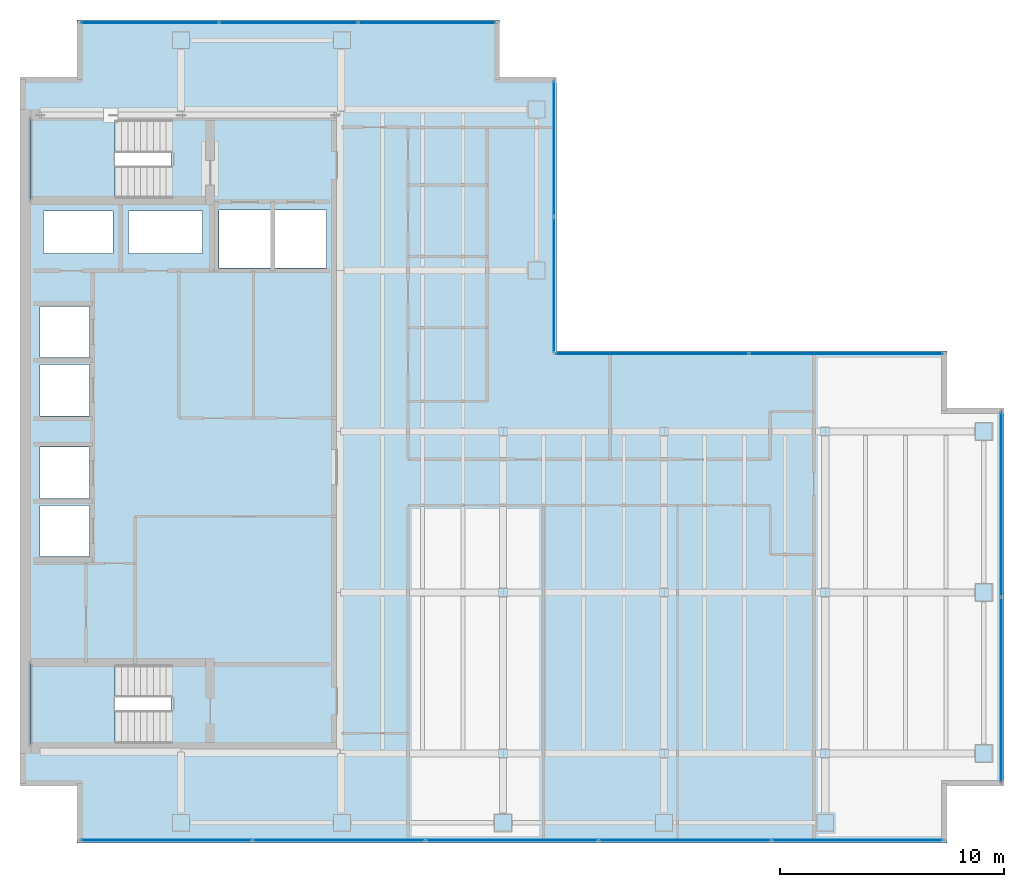
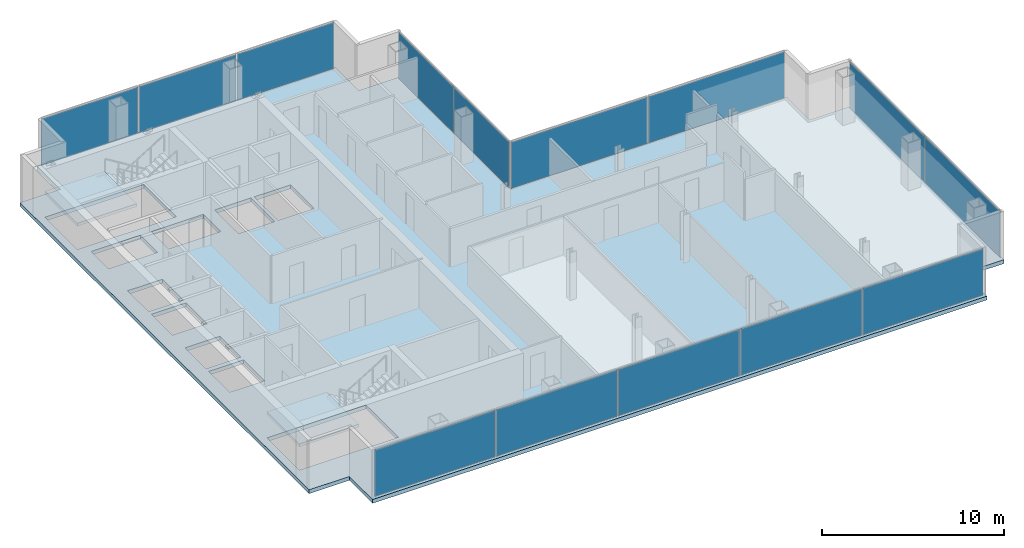
# One storey, part 19 of 23: 14 plates, 3 slabs, 10 openings, 7 elements without a shape of their own.
"""IFC4 building model written with IfcOpenShell, lengths in metres."""

from ifc_helpers import new_model, si_unit, direction, frame, origin, origin_2d, place, context, subcontext, project, spatial, polyline, rectangle, outline, extrude, material, layer, layer_set, type_object, element, aggregate, save


model = new_model("IFC4")

# Units and contexts
model_context = context("Model", 3, precision=1e-05, world=origin(), true_north=direction((0.0, 1.0)))
body_context = subcontext(model_context, "Body", "Model", "MODEL_VIEW")
ifc_project = project(units=[si_unit("LENGTHUNIT", "METRE"), si_unit("AREAUNIT", "SQUARE_METRE"), si_unit("VOLUMEUNIT", "CUBIC_METRE"), si_unit("PLANEANGLEUNIT", "RADIAN"), si_unit("MASSUNIT", "GRAM", prefix="KILO")], contexts=[model_context])

# Site, building, storey
site_placement = place(None, origin())
site = spatial("IfcSite", under=ifc_project, at=site_placement, CompositionType="ELEMENT")
building_placement = place(site_placement, origin())
building = spatial("IfcBuilding", under=site, at=building_placement, Name="Cobrela Telecom Tower", CompositionType="ELEMENT")
storey_placement = place(building_placement, frame((0.0, 0.0, 187.25)))
storey = spatial("IfcBuildingStorey", under=building, at=storey_placement, Name="L47", CompositionType="ELEMENT", Elevation=187.25)

# Curtain wall, plates
ifc_material_1 = material(Name="Anodized Bronze Aluminium 6063-T6", Category="aluminium")
curtain_wall_type = type_object("IfcCurtainWallType", Name="CW-SYS-OFF-LO", PredefinedType="USERDEFINED", material=ifc_material_1)
curtain_wall_1_placement = place(storey_placement, origin())
curtain_wall_1 = element("IfcCurtainWall", 1, at=curtain_wall_1_placement, inside=storey, type_object=curtain_wall_type, Name="L47 Unitised Bronze Curtain Wall 07", ObjectType="UNITISED CURTAIN WALL", PredefinedType="USERDEFINED")
ifc_material_2 = material(Name="Solar-Control Bronze Low-E Glass", Category="glass")
ifc_layer_1 = layer(ifc_material_2, 0.031982421875)
ifc_layer_set_1 = layer_set([ifc_layer_1], Name="Solar-Control Bronze Low-E Glass")
plate_type = type_object("IfcPlateType", Name="CW-SYS-OFF-LO-PNL", PredefinedType="CURTAIN_PANEL", material=ifc_layer_set_1)
plate_1_placement = place(storey_placement, frame((5.797607421875, 39.8798828125, 0.070068359375), z_axis=(0.0, 0.0, 1.0), x_axis=(1.0, 0.0, 0.0)))
plate_1 = element("IfcPlate", 2, at=plate_1_placement, type_object=plate_type, Name="CW-OFF-LO panel 1.1", PredefinedType="CURTAIN_PANEL", context=body_context, shape_type="SweptSolid", body=[
    extrude(rectangle(XDim=6.114990234375, YDim=0.031982421875, at=origin_2d()), origin(), (0.0, 0.0, 1.0), 3.10009765625),
])
plate_2_placement = place(storey_placement, frame((12.0, 39.8798828125, 0.070068359375), z_axis=(0.0, 0.0, 1.0), x_axis=(1.0, 0.0, 0.0)))
plate_2 = element("IfcPlate", 3, at=plate_2_placement, type_object=plate_type, Name="CW-OFF-LO panel 2.1", PredefinedType="CURTAIN_PANEL", context=body_context, shape_type="SweptSolid", body=[
    extrude(rectangle(XDim=6.14990234375, YDim=0.031982421875, at=origin_2d()), origin(), (0.0, 0.0, 1.0), 3.10009765625),
])
plate_3_placement = place(storey_placement, frame((18.202392578125, 39.8798828125, 0.070068359375), z_axis=(0.0, 0.0, 1.0), x_axis=(1.0, 0.0, 0.0)))
plate_3 = element("IfcPlate", 4, at=plate_3_placement, type_object=plate_type, Name="CW-OFF-LO panel 3.1", PredefinedType="CURTAIN_PANEL", context=body_context, shape_type="SweptSolid", body=[
    extrude(rectangle(XDim=6.114990234375, YDim=0.031982421875, at=origin_2d()), origin(), (0.0, 0.0, 1.0), 3.10009765625),
])
aggregate(curtain_wall_1, [plate_1, plate_2, plate_3])

curtain_wall_2_placement = place(storey_placement, origin())
curtain_wall_2 = element("IfcCurtainWall", 5, at=curtain_wall_2_placement, inside=storey, type_object=curtain_wall_type, Name="L47 Unitised Bronze Curtain Wall 10", ObjectType="UNITISED CURTAIN WALL", PredefinedType="USERDEFINED")
plate_4_placement = place(storey_placement, frame((23.8798828125, 34.25, 0.070068359375), z_axis=(0.0, 0.0, 1.0), x_axis=(0.0, -1.0, 0.0)))
plate_4 = element("IfcPlate", 6, at=plate_4_placement, type_object=plate_type, Name="CW-OFF-LO panel 1.1", PredefinedType="CURTAIN_PANEL", context=body_context, shape_type="SweptSolid", body=[
    extrude(rectangle(XDim=6.02001953125, YDim=0.031982421875, at=origin_2d()), origin(), (0.0, 0.0, 1.0), 3.10009765625),
])
plate_5_placement = place(storey_placement, frame((23.8798828125, 28.159912109375, 0.070068359375), z_axis=(0.0, 0.0, 1.0), x_axis=(0.0, -1.0, 0.0)))
plate_5 = element("IfcPlate", 7, at=plate_5_placement, type_object=plate_type, Name="CW-OFF-LO panel 2.1", PredefinedType="CURTAIN_PANEL", context=body_context, shape_type="SweptSolid", body=[
    extrude(rectangle(XDim=6.02001953125, YDim=0.031982421875, at=origin_2d()), origin(), (0.0, 0.0, 1.0), 3.10009765625),
])
aggregate(curtain_wall_2, [plate_4, plate_5])

curtain_wall_3_placement = place(storey_placement, origin())
curtain_wall_3 = element("IfcCurtainWall", 8, at=curtain_wall_3_placement, inside=storey, type_object=curtain_wall_type, Name="L47 Unitised Bronze Curtain Wall 11", ObjectType="UNITISED CURTAIN WALL", PredefinedType="USERDEFINED")
plate_6_placement = place(storey_placement, frame((28.260009765625, 25.080078125, 0.070068359375), z_axis=(0.0, 0.0, 1.0), x_axis=(1.0, 0.0, 0.0)))
plate_6 = element("IfcPlate", 9, at=plate_6_placement, type_object=plate_type, Name="CW-OFF-LO panel 1.1", PredefinedType="CURTAIN_PANEL", context=body_context, shape_type="SweptSolid", body=[
    extrude(rectangle(XDim=8.6201171875, YDim=0.031982421875, at=origin_2d()), origin(), (0.0, 0.0, 1.0), 3.10009765625),
])
plate_7_placement = place(storey_placement, frame((36.949951171875, 25.080078125, 0.070068359375), z_axis=(0.0, 0.0, 1.0), x_axis=(1.0, 0.0, 0.0)))
plate_7 = element("IfcPlate", 10, at=plate_7_placement, type_object=plate_type, Name="CW-OFF-LO panel 2.1", PredefinedType="CURTAIN_PANEL", context=body_context, shape_type="SweptSolid", body=[
    extrude(rectangle(XDim=8.6201171875, YDim=0.031982421875, at=origin_2d()), origin(), (0.0, 0.0, 1.0), 3.10009765625),
])
aggregate(curtain_wall_3, [plate_6, plate_7])

curtain_wall_4_placement = place(storey_placement, origin())
curtain_wall_4 = element("IfcCurtainWall", 11, at=curtain_wall_4_placement, inside=storey, type_object=curtain_wall_type, Name="L47 Unitised Bronze Curtain Wall 14", ObjectType="UNITISED CURTAIN WALL", PredefinedType="USERDEFINED")
plate_8_placement = place(storey_placement, frame((43.8798828125, 18.347412109375, 0.070068359375), z_axis=(0.0, 0.0, 1.0), x_axis=(0.0, -1.0, 0.0)))
plate_8 = element("IfcPlate", 12, at=plate_8_placement, type_object=plate_type, Name="CW-OFF-LO panel 1.1", PredefinedType="CURTAIN_PANEL", context=body_context, shape_type="SweptSolid", body=[
    extrude(rectangle(XDim=8.22509765625, YDim=0.031982421875, at=origin_2d()), origin(), (0.0, 0.0, 1.0), 3.10009765625),
])
plate_9_placement = place(storey_placement, frame((43.8798828125, 10.052490234375, 0.070068359375), z_axis=(0.0, 0.0, 1.0), x_axis=(0.0, -1.0, 0.0)))
plate_9 = element("IfcPlate", 13, at=plate_9_placement, type_object=plate_type, Name="CW-OFF-LO panel 2.1", PredefinedType="CURTAIN_PANEL", context=body_context, shape_type="SweptSolid", body=[
    extrude(rectangle(XDim=8.22509765625, YDim=0.031982421875, at=origin_2d()), origin(), (0.0, 0.0, 1.0), 3.10009765625),
])
aggregate(curtain_wall_4, [plate_8, plate_9])

curtain_wall_5_placement = place(storey_placement, origin())
curtain_wall_5 = element("IfcCurtainWall", 14, at=curtain_wall_5_placement, inside=storey, type_object=curtain_wall_type, Name="L47 Unitised Bronze Curtain Wall 17", ObjectType="UNITISED CURTAIN WALL", PredefinedType="USERDEFINED")
plate_10_placement = place(storey_placement, frame((37.446533203125, 3.320068359375, 0.070068359375), z_axis=(0.0, 0.0, 1.0), x_axis=(-1.0, 0.0, 0.0)))
plate_10 = element("IfcPlate", 15, at=plate_10_placement, type_object=plate_type, Name="CW-OFF-LO panel 1.1", PredefinedType="CURTAIN_PANEL", context=body_context, shape_type="SweptSolid", body=[
    extrude(rectangle(XDim=7.626953125, YDim=0.031982421875, at=origin_2d()), origin(), (0.0, 0.0, 1.0), 3.10009765625),
])
plate_11_placement = place(storey_placement, frame((29.73193359375, 3.320068359375, 0.070068359375), z_axis=(0.0, 0.0, 1.0), x_axis=(-1.0, 0.0, 0.0)))
plate_11 = element("IfcPlate", 16, at=plate_11_placement, type_object=plate_type, Name="CW-OFF-LO panel 2.1", PredefinedType="CURTAIN_PANEL", context=body_context, shape_type="SweptSolid", body=[
    extrude(rectangle(XDim=7.662109375, YDim=0.031982421875, at=origin_2d()), origin(), (0.0, 0.0, 1.0), 3.10009765625),
])
plate_12_placement = place(storey_placement, frame((22.0, 3.320068359375, 0.070068359375), z_axis=(0.0, 0.0, 1.0), x_axis=(-1.0, 0.0, 0.0)))
plate_12 = element("IfcPlate", 17, at=plate_12_placement, type_object=plate_type, Name="CW-OFF-LO panel 3.1", PredefinedType="CURTAIN_PANEL", context=body_context, shape_type="SweptSolid", body=[
    extrude(rectangle(XDim=7.662109375, YDim=0.031982421875, at=origin_2d()), origin(), (0.0, 0.0, 1.0), 3.10009765625),
])
plate_13_placement = place(storey_placement, frame((14.26806640625, 3.320068359375, 0.070068359375), z_axis=(0.0, 0.0, 1.0), x_axis=(-1.0, 0.0, 0.0)))
plate_13 = element("IfcPlate", 18, at=plate_13_placement, type_object=plate_type, Name="CW-OFF-LO panel 4.1", PredefinedType="CURTAIN_PANEL", context=body_context, shape_type="SweptSolid", body=[
    extrude(rectangle(XDim=7.662109375, YDim=0.031982421875, at=origin_2d()), origin(), (0.0, 0.0, 1.0), 3.10009765625),
])
plate_14_placement = place(storey_placement, frame((6.553466796875, 3.320068359375, 0.070068359375), z_axis=(0.0, 0.0, 1.0), x_axis=(-1.0, 0.0, 0.0)))
plate_14 = element("IfcPlate", 19, at=plate_14_placement, type_object=plate_type, Name="CW-OFF-LO panel 5.1", PredefinedType="CURTAIN_PANEL", context=body_context, shape_type="SweptSolid", body=[
    extrude(rectangle(XDim=7.626953125, YDim=0.031982421875, at=origin_2d()), origin(), (0.0, 0.0, 1.0), 3.10009765625),
])
aggregate(curtain_wall_5, [plate_10, plate_11, plate_12, plate_13, plate_14])

# Slab, openings
ifc_material_3 = material(Name="Concrete C40/50", Category="concrete")
ifc_layer_2 = layer(ifc_material_3, 0.260009765625)
ifc_layer_set_2 = layer_set([ifc_layer_2], Name="Concrete C40/50")
slab_type_1 = type_object("IfcSlabType", Name="SLAB-FLR-260", PredefinedType="FLOOR", material=ifc_layer_set_2)
slab_1_placement = place(storey_placement, frame((0.0, 0.0, -0.260009765625)))
slab_1 = element("IfcSlab", 20, at=slab_1_placement, inside=storey, type_object=slab_type_1, Name="L47 Structural Floor Slab", PredefinedType="FLOOR", context=body_context, shape_type="SweptSolid", body=[
    extrude(outline(polyline([(2.550048828125, 3.199951171875), (41.449951171875, 3.199951171875), (41.449951171875, 5.75), (44.0, 5.75), (44.0, 22.64990234375), (41.449951171875, 22.64990234375), (41.449951171875, 25.199951171875), (24.0, 25.199951171875), (24.0, 37.449951171875), (21.449951171875, 37.449951171875), (21.449951171875, 40.0), (2.550048828125, 40.0), (2.550048828125, 37.449951171875), (0.0, 37.449951171875), (0.0, 5.75), (2.550048828125, 5.75), (2.550048828125, 3.199951171875)])), origin(), (0.0, 0.0, 1.0), 0.260009765625),
])
opening_1_placement = place(slab_1_placement, frame((0.0, 0.0, -0.02001953125)))
element("IfcOpeningElement", 21, at=opening_1_placement, cuts=slab_1, Name="Slab Shaft Opening SLAB-L47-MAIN.1", PredefinedType="OPENING", context=body_context, shape_type="SweptSolid", body=[
    extrude(outline(polyline([(8.89990234375, 28.89990234375), (11.199951171875, 28.89990234375), (11.199951171875, 31.5), (8.89990234375, 31.5), (8.89990234375, 28.89990234375)])), origin(), (0.0, 0.0, 1.0), 0.300048828125),
])
opening_2_placement = place(slab_1_placement, frame((0.0, 0.0, -0.02001953125)))
element("IfcOpeningElement", 22, at=opening_2_placement, cuts=slab_1, Name="Slab Shaft Opening SLAB-L47-MAIN.2", PredefinedType="OPENING", context=body_context, shape_type="SweptSolid", body=[
    extrude(outline(polyline([(11.39990234375, 28.89990234375), (13.699951171875, 28.89990234375), (13.699951171875, 31.5), (11.39990234375, 31.5), (11.39990234375, 28.89990234375)])), origin(), (0.0, 0.0, 1.0), 0.300048828125),
])
opening_3_placement = place(slab_1_placement, frame((0.0, 0.0, -0.02001953125)))
element("IfcOpeningElement", 23, at=opening_3_placement, cuts=slab_1, Name="Slab Shaft Opening SLAB-L47-MAIN.3", PredefinedType="OPENING", context=body_context, shape_type="SweptSolid", body=[
    extrude(outline(polyline([(0.89990234375, 16.0), (3.10009765625, 16.0), (3.10009765625, 18.300048828125), (0.89990234375, 18.300048828125), (0.89990234375, 16.0)])), origin(), (0.0, 0.0, 1.0), 0.300048828125),
])
opening_4_placement = place(slab_1_placement, frame((0.0, 0.0, -0.02001953125)))
element("IfcOpeningElement", 24, at=opening_4_placement, cuts=slab_1, Name="Slab Shaft Opening SLAB-L47-MAIN.4", PredefinedType="OPENING", context=body_context, shape_type="SweptSolid", body=[
    extrude(outline(polyline([(0.89990234375, 18.60009765625), (3.10009765625, 18.60009765625), (3.10009765625, 20.89990234375), (0.89990234375, 20.89990234375), (0.89990234375, 18.60009765625)])), origin(), (0.0, 0.0, 1.0), 0.300048828125),
])
opening_5_placement = place(slab_1_placement, frame((0.0, 0.0, -0.02001953125)))
element("IfcOpeningElement", 25, at=opening_5_placement, cuts=slab_1, Name="Slab Shaft Opening SLAB-L47-MAIN.5", PredefinedType="OPENING", context=body_context, shape_type="SweptSolid", body=[
    extrude(outline(polyline([(0.89990234375, 22.300048828125), (3.10009765625, 22.300048828125), (3.10009765625, 24.60009765625), (0.89990234375, 24.60009765625), (0.89990234375, 22.300048828125)])), origin(), (0.0, 0.0, 1.0), 0.300048828125),
])
opening_6_placement = place(slab_1_placement, frame((0.0, 0.0, -0.02001953125)))
element("IfcOpeningElement", 26, at=opening_6_placement, cuts=slab_1, Name="Slab Shaft Opening SLAB-L47-MAIN.6", PredefinedType="OPENING", context=body_context, shape_type="SweptSolid", body=[
    extrude(outline(polyline([(0.89990234375, 24.89990234375), (3.10009765625, 24.89990234375), (3.10009765625, 27.199951171875), (0.89990234375, 27.199951171875), (0.89990234375, 24.89990234375)])), origin(), (0.0, 0.0, 1.0), 0.300048828125),
])
opening_7_placement = place(slab_1_placement, frame((0.0, 0.0, -0.02001953125)))
element("IfcOpeningElement", 27, at=opening_7_placement, cuts=slab_1, Name="Slab Shaft Opening SLAB-L47-MAIN.7", PredefinedType="OPENING", context=body_context, shape_type="SweptSolid", body=[
    extrude(outline(polyline([(1.050048828125, 29.550048828125), (4.14990234375, 29.550048828125), (4.14990234375, 31.449951171875), (1.050048828125, 31.449951171875), (1.050048828125, 29.550048828125)])), origin(), (0.0, 0.0, 1.0), 0.300048828125),
])
opening_8_placement = place(slab_1_placement, frame((0.0, 0.0, -0.02001953125)))
element("IfcOpeningElement", 28, at=opening_8_placement, cuts=slab_1, Name="Slab Shaft Opening SLAB-L47-MAIN.8", PredefinedType="OPENING", context=body_context, shape_type="SweptSolid", body=[
    extrude(outline(polyline([(4.85009765625, 29.550048828125), (8.14990234375, 29.550048828125), (8.14990234375, 31.449951171875), (4.85009765625, 31.449951171875), (4.85009765625, 29.550048828125)])), origin(), (0.0, 0.0, 1.0), 0.300048828125),
])
opening_9_placement = place(slab_1_placement, frame((0.0, 0.0, -0.02001953125)))
element("IfcOpeningElement", 29, at=opening_9_placement, cuts=slab_1, Name="Slab Shaft Opening SLAB-L47-MAIN.9", PredefinedType="OPENING", context=body_context, shape_type="SweptSolid", body=[
    extrude(outline(polyline([(6.7548828125, 35.550048828125), (0.47998046875, 35.550048828125), (0.47998046875, 32.0), (6.7548828125, 32.0), (6.7548828125, 35.550048828125)])), origin(), (0.0, 0.0, 1.0), 0.300048828125),
])
opening_10_placement = place(slab_1_placement, frame((0.0, 0.0, -0.02001953125)))
element("IfcOpeningElement", 30, at=opening_10_placement, cuts=slab_1, Name="Slab Shaft Opening SLAB-L47-MAIN.10", PredefinedType="OPENING", context=body_context, shape_type="SweptSolid", body=[
    extrude(outline(polyline([(6.7548828125, 11.199951171875), (0.47998046875, 11.199951171875), (0.47998046875, 7.64990234375), (6.7548828125, 7.64990234375), (6.7548828125, 11.199951171875)])), origin(), (0.0, 0.0, 1.0), 0.300048828125),
])

# Stair, slab
stair_type = type_object("IfcStairType", Name="STAIR-CORE", PredefinedType="HALF_TURN_STAIR", material=ifc_material_3)
stair_1_placement = place(storey_placement, origin())
stair_1 = element("IfcStair", 31, at=stair_1_placement, inside=storey, type_object=stair_type, Name="L47 Smokeproof Exit Stair ST1", PredefinedType="HALF_TURN_STAIR")
ifc_layer_3 = layer(ifc_material_3, 0.199951171875)
ifc_layer_set_3 = layer_set([ifc_layer_3], Name="Concrete C40/50")
slab_type_2 = type_object("IfcSlabType", Name="SLAB-LAND-200", PredefinedType="LANDING", material=ifc_layer_set_3)
slab_2_placement = place(storey_placement, frame((0.0, 0.0, 1.550048828125)))
slab_2 = element("IfcSlab", 32, at=slab_2_placement, type_object=slab_type_2, Name="ST1 landing 1", PredefinedType="LANDING", context=body_context, shape_type="SweptSolid", body=[
    extrude(outline(polyline([(4.2548828125, 35.550048828125), (0.47998046875, 35.550048828125), (0.47998046875, 32.0), (4.2548828125, 32.0), (4.2548828125, 35.550048828125)])), origin(), (0.0, 0.0, 1.0), 0.199951171875),
])
aggregate(stair_1, [slab_2])

stair_2_placement = place(storey_placement, origin())
stair_2 = element("IfcStair", 33, at=stair_2_placement, inside=storey, type_object=stair_type, Name="L47 Smokeproof Exit Stair ST2", PredefinedType="HALF_TURN_STAIR")
slab_3_placement = place(storey_placement, frame((0.0, 0.0, 1.550048828125)))
slab_3 = element("IfcSlab", 34, at=slab_3_placement, type_object=slab_type_2, Name="ST2 landing 1", PredefinedType="LANDING", context=body_context, shape_type="SweptSolid", body=[
    extrude(outline(polyline([(4.2548828125, 11.199951171875), (0.47998046875, 11.199951171875), (0.47998046875, 7.64990234375), (4.2548828125, 7.64990234375), (4.2548828125, 11.199951171875)])), origin(), (0.0, 0.0, 1.0), 0.199951171875),
])
aggregate(stair_2, [slab_3])

save(model, "model.ifc")
